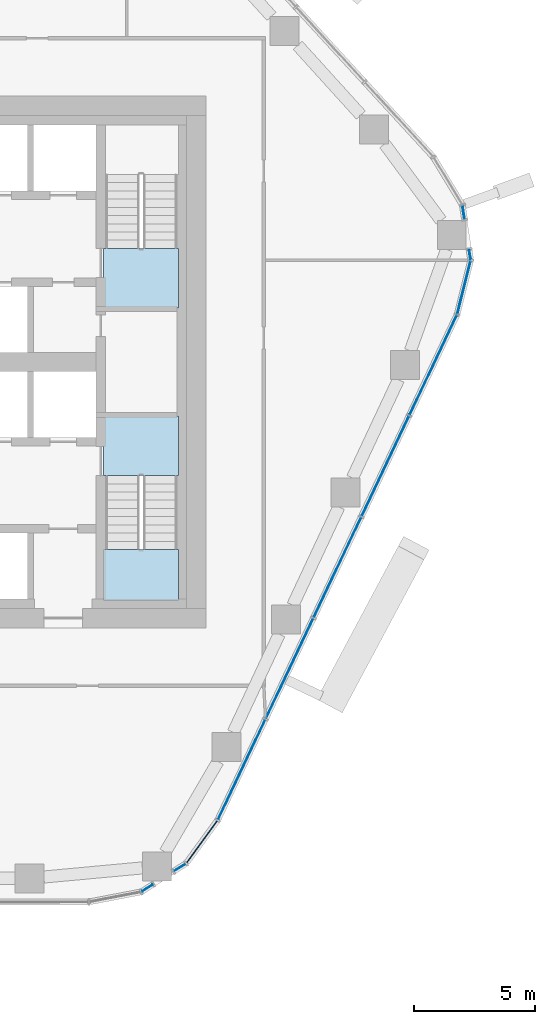
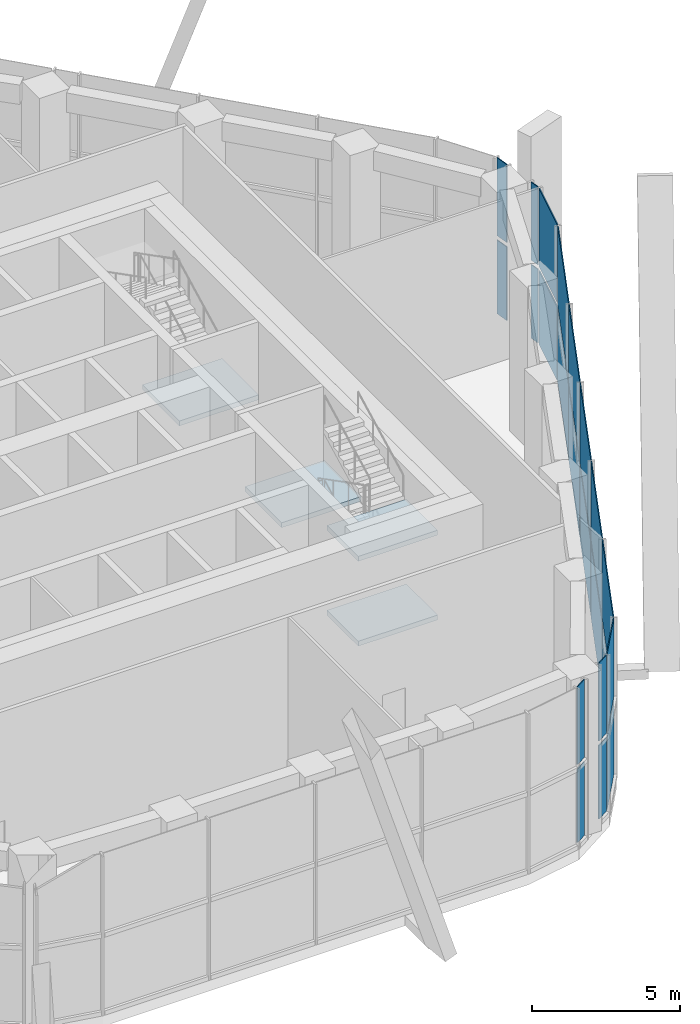
# One storey, part 9 of 20: 22 plates, 4 slabs, 7 elements without a shape of their own.
"""IFC4 building model written with IfcOpenShell, lengths in metres."""

from ifc_helpers import new_model, si_unit, direction, frame, origin, origin_2d, place, context, subcontext, project, spatial, polyline, rectangle, outline, extrude, material, layer, layer_set, type_object, element, aggregate, save


model = new_model("IFC4")

# Units and contexts
model_context = context("Model", 3, precision=1e-05, world=origin(), true_north=direction((0.0, 1.0)))
body_context = subcontext(model_context, "Body", "Model", "MODEL_VIEW")
ifc_project = project(units=[si_unit("LENGTHUNIT", "METRE"), si_unit("AREAUNIT", "SQUARE_METRE"), si_unit("VOLUMEUNIT", "CUBIC_METRE"), si_unit("PLANEANGLEUNIT", "RADIAN"), si_unit("MASSUNIT", "GRAM", prefix="KILO")], contexts=[model_context])

# Site, building, storey
site_placement = place(None, origin())
site = spatial("IfcSite", under=ifc_project, at=site_placement, CompositionType="ELEMENT")
building_placement = place(site_placement, origin())
building = spatial("IfcBuilding", under=site, at=building_placement, Name="Dongbaek Canopy Tower", CompositionType="ELEMENT")
storey_placement = place(building_placement, frame((0.0, 0.0, 151.60009765625)))
storey = spatial("IfcBuildingStorey", under=building, at=storey_placement, Name="L33", CompositionType="ELEMENT", Elevation=151.60009765625)

# Curtain wall, plates
ifc_material_1 = material(Name="Aluminium 6063-T6 pale anodised", Category="aluminium")
ifc_layer_1 = layer(ifc_material_1, 0.25)
ifc_layer_set_1 = layer_set([ifc_layer_1], Name="CW-4 sky-lobby curtain wall")
curtain_wall_type = type_object("IfcCurtainWallType", Name="CW-4 sky-lobby curtain wall", PredefinedType="NOTDEFINED", material=ifc_layer_set_1)
curtain_wall_1_placement = place(storey_placement, origin())
curtain_wall_1 = element("IfcCurtainWall", 1, at=curtain_wall_1_placement, inside=storey, type_object=curtain_wall_type, Name="CW-4 curtain wall K0.1a", PredefinedType="NOTDEFINED")
ifc_material_2 = material(Name="Clear laminated glass", Category="glass")
ifc_layer_2 = layer(ifc_material_2, 0.035888671875)
ifc_layer_set_2 = layer_set([ifc_layer_2], Name="CW-4 glazed panel 36")
plate_type = type_object("IfcPlateType", Name="CW-4 glazed panel 36", PredefinedType="CURTAIN_PANEL", material=ifc_layer_set_2)
plate_1_placement = place(storey_placement, frame((24.685302734375, 3.087646484375, 0.179931640625), z_axis=(0.0, 0.0, 1.0), x_axis=(0.242456523347, 0.970162272141, 0.0)))
plate_1 = element("IfcPlate", 2, at=plate_1_placement, type_object=plate_type, Name="CW-4 panel K0.1a.1.1", PredefinedType="CURTAIN_PANEL", context=body_context, shape_type="SweptSolid", body=[
    extrude(rectangle(XDim=2.229248046875, YDim=0.035888671875, at=origin_2d()), origin(), (0.0, 0.0, 1.0), 3.0400390625),
])
plate_2_placement = place(storey_placement, frame((24.685302734375, 3.087646484375, 3.39990234375), z_axis=(0.0, 0.0, 1.0), x_axis=(0.242456523347, 0.970162272141, 0.0)))
plate_2 = element("IfcPlate", 3, at=plate_2_placement, type_object=plate_type, Name="CW-4 panel K0.1a.1.2", PredefinedType="CURTAIN_PANEL", context=body_context, shape_type="SweptSolid", body=[
    extrude(rectangle(XDim=2.229248046875, YDim=0.035888671875, at=origin_2d()), origin(), (0.0, 0.0, 1.0), 3.219970703125),
])
plate_3_placement = place(storey_placement, frame((24.93212890625, 4.444580078125, 0.179931640625), z_axis=(0.0, 0.0, 1.0), x_axis=(-0.149297504968, 0.988792321476, 0.0)))
plate_3 = element("IfcPlate", 4, at=plate_3_placement, type_object=plate_type, Name="CW-4 panel K0.1a.2.1", PredefinedType="CURTAIN_PANEL", context=body_context, shape_type="SweptSolid", body=[
    extrude(rectangle(XDim=0.371337890625, YDim=0.035888671875, at=origin_2d()), origin(), (0.0, 0.0, 1.0), 3.0400390625),
])
plate_4_placement = place(storey_placement, frame((24.93212890625, 4.444580078125, 3.39990234375), z_axis=(0.0, 0.0, 1.0), x_axis=(-0.149297504968, 0.988792321476, 0.0)))
plate_4 = element("IfcPlate", 5, at=plate_4_placement, type_object=plate_type, Name="CW-4 panel K0.1a.2.2", PredefinedType="CURTAIN_PANEL", context=body_context, shape_type="SweptSolid", body=[
    extrude(rectangle(XDim=0.371337890625, YDim=0.035888671875, at=origin_2d()), origin(), (0.0, 0.0, 1.0), 3.219970703125),
])
aggregate(curtain_wall_1, [plate_1, plate_2, plate_3, plate_4])

curtain_wall_2_placement = place(storey_placement, origin())
curtain_wall_2 = element("IfcCurtainWall", 6, at=curtain_wall_2_placement, inside=storey, type_object=curtain_wall_type, Name="CW-4 curtain wall K0.1b", PredefinedType="NOTDEFINED")
plate_5_placement = place(storey_placement, frame((24.66845703125, 6.19091796875, 0.179931640625), z_axis=(0.0, 0.0, 1.0), x_axis=(-0.149297504968, 0.988792321476, 0.0)))
plate_5 = element("IfcPlate", 7, at=plate_5_placement, type_object=plate_type, Name="CW-4 panel K0.1b.1.1", PredefinedType="CURTAIN_PANEL", context=body_context, shape_type="SweptSolid", body=[
    extrude(rectangle(XDim=0.534912109375, YDim=0.035888671875, at=origin_2d()), origin(), (0.0, 0.0, 1.0), 3.0400390625),
])
plate_6_placement = place(storey_placement, frame((24.66845703125, 6.19091796875, 3.39990234375), z_axis=(0.0, 0.0, 1.0), x_axis=(-0.149297504968, 0.988792321476, 0.0)))
plate_6 = element("IfcPlate", 8, at=plate_6_placement, type_object=plate_type, Name="CW-4 panel K0.1b.1.2", PredefinedType="CURTAIN_PANEL", context=body_context, shape_type="SweptSolid", body=[
    extrude(rectangle(XDim=0.534912109375, YDim=0.035888671875, at=origin_2d()), origin(), (0.0, 0.0, 1.0), 3.219970703125),
])
aggregate(curtain_wall_2, [plate_5, plate_6])

curtain_wall_3_placement = place(storey_placement, origin())
curtain_wall_3 = element("IfcCurtainWall", 9, at=curtain_wall_3_placement, inside=storey, type_object=curtain_wall_type, Name="CW-4 curtain wall K5.1a", PredefinedType="NOTDEFINED")
plate_7_placement = place(storey_placement, frame((11.58154296875, -21.77490234375, 0.179931640625), z_axis=(0.0, 0.0, 1.0), x_axis=(0.844404872268, 0.53570552703, 0.0)))
plate_7 = element("IfcPlate", 10, at=plate_7_placement, type_object=plate_type, Name="CW-4 panel K5.1a.2.1", PredefinedType="CURTAIN_PANEL", context=body_context, shape_type="SweptSolid", body=[
    extrude(rectangle(XDim=0.499755859375, YDim=0.035888671875, at=origin_2d()), origin(), (0.0, 0.0, 1.0), 3.0400390625),
])
plate_8_placement = place(storey_placement, frame((11.58154296875, -21.77490234375, 3.39990234375), z_axis=(0.0, 0.0, 1.0), x_axis=(0.844404872268, 0.53570552703, 0.0)))
plate_8 = element("IfcPlate", 11, at=plate_8_placement, type_object=plate_type, Name="CW-4 panel K5.1a.2.2", PredefinedType="CURTAIN_PANEL", context=body_context, shape_type="SweptSolid", body=[
    extrude(rectangle(XDim=0.499755859375, YDim=0.035888671875, at=origin_2d()), origin(), (0.0, 0.0, 1.0), 3.219970703125),
])
aggregate(curtain_wall_3, [plate_7, plate_8])

curtain_wall_4_placement = place(storey_placement, origin())
curtain_wall_4 = element("IfcCurtainWall", 12, at=curtain_wall_4_placement, inside=storey, type_object=curtain_wall_type, Name="CW-4 curtain wall K5.1b", PredefinedType="NOTDEFINED")
plate_9_placement = place(storey_placement, frame((12.92236328125, -20.92431640625, 0.179931640625), z_axis=(0.0, 0.0, 1.0), x_axis=(0.844404872268, 0.53570552703, 0.0)))
plate_9 = element("IfcPlate", 13, at=plate_9_placement, type_object=plate_type, Name="CW-4 panel K5.1b.1.1", PredefinedType="CURTAIN_PANEL", context=body_context, shape_type="SweptSolid", body=[
    extrude(rectangle(XDim=0.539306640625, YDim=0.035888671875, at=origin_2d()), origin(), (0.0, 0.0, 1.0), 3.0400390625),
])
plate_10_placement = place(storey_placement, frame((12.92236328125, -20.92431640625, 3.39990234375), z_axis=(0.0, 0.0, 1.0), x_axis=(0.844404872268, 0.53570552703, 0.0)))
plate_10 = element("IfcPlate", 14, at=plate_10_placement, type_object=plate_type, Name="CW-4 panel K5.1b.1.2", PredefinedType="CURTAIN_PANEL", context=body_context, shape_type="SweptSolid", body=[
    extrude(rectangle(XDim=0.539306640625, YDim=0.035888671875, at=origin_2d()), origin(), (0.0, 0.0, 1.0), 3.219970703125),
])
plate_11_placement = place(storey_placement, frame((13.84130859375, -19.861328125, 0.179931640625), z_axis=(0.0, 0.0, 1.0), x_axis=(0.589145412334, 0.808027031185, 0.0)))
plate_11 = element("IfcPlate", 15, at=plate_11_placement, type_object=plate_type, Name="CW-4 panel K5.1b.2.1", PredefinedType="CURTAIN_PANEL", context=body_context, shape_type="SweptSolid", body=[
    extrude(rectangle(XDim=2.1171875, YDim=0.035888671875, at=origin_2d()), origin(), (0.0, 0.0, 1.0), 3.0400390625),
])
plate_12_placement = place(storey_placement, frame((13.84130859375, -19.861328125, 3.39990234375), z_axis=(0.0, 0.0, 1.0), x_axis=(0.589145412334, 0.808027031185, 0.0)))
plate_12 = element("IfcPlate", 16, at=plate_12_placement, type_object=plate_type, Name="CW-4 panel K5.1b.2.2", PredefinedType="CURTAIN_PANEL", context=body_context, shape_type="SweptSolid", body=[
    extrude(rectangle(XDim=2.1171875, YDim=0.035888671875, at=origin_2d()), origin(), (0.0, 0.0, 1.0), 3.219970703125),
])
aggregate(curtain_wall_4, [plate_9, plate_10, plate_11, plate_12])

curtain_wall_5_placement = place(storey_placement, origin())
curtain_wall_5 = element("IfcCurtainWall", 17, at=curtain_wall_5_placement, inside=storey, type_object=curtain_wall_type, Name="CW-4 curtain wall F5.1", PredefinedType="NOTDEFINED")
plate_13_placement = place(storey_placement, frame((15.482421875, -16.877685546875, 0.179931640625), z_axis=(0.0, 0.0, 1.0), x_axis=(0.42799629166, 0.903780490122, 0.0)))
plate_13 = element("IfcPlate", 18, at=plate_13_placement, type_object=plate_type, Name="CW-4 panel F5.1.1.1", PredefinedType="CURTAIN_PANEL", context=body_context, shape_type="SweptSolid", body=[
    extrude(rectangle(XDim=4.53173828125, YDim=0.035888671875, at=origin_2d()), origin(), (0.0, 0.0, 1.0), 3.0400390625),
])
plate_14_placement = place(storey_placement, frame((15.482421875, -16.877685546875, 3.39990234375), z_axis=(0.0, 0.0, 1.0), x_axis=(0.42799629166, 0.903780490122, 0.0)))
plate_14 = element("IfcPlate", 19, at=plate_14_placement, type_object=plate_type, Name="CW-4 panel F5.1.1.2", PredefinedType="CURTAIN_PANEL", context=body_context, shape_type="SweptSolid", body=[
    extrude(rectangle(XDim=4.53173828125, YDim=0.035888671875, at=origin_2d()), origin(), (0.0, 0.0, 1.0), 3.219970703125),
])
plate_15_placement = place(storey_placement, frame((17.46435546875, -12.692626953125, 0.179931640625), z_axis=(0.0, 0.0, 1.0), x_axis=(0.42799629166, 0.903780490122, 0.0)))
plate_15 = element("IfcPlate", 20, at=plate_15_placement, type_object=plate_type, Name="CW-4 panel F5.1.2.1", PredefinedType="CURTAIN_PANEL", context=body_context, shape_type="SweptSolid", body=[
    extrude(rectangle(XDim=4.541259765625, YDim=0.035888671875, at=origin_2d()), origin(), (0.0, 0.0, 1.0), 3.0400390625),
])
plate_16_placement = place(storey_placement, frame((17.46435546875, -12.692626953125, 3.39990234375), z_axis=(0.0, 0.0, 1.0), x_axis=(0.42799629166, 0.903780490122, 0.0)))
plate_16 = element("IfcPlate", 21, at=plate_16_placement, type_object=plate_type, Name="CW-4 panel F5.1.2.2", PredefinedType="CURTAIN_PANEL", context=body_context, shape_type="SweptSolid", body=[
    extrude(rectangle(XDim=4.541259765625, YDim=0.035888671875, at=origin_2d()), origin(), (0.0, 0.0, 1.0), 3.219970703125),
])
plate_17_placement = place(storey_placement, frame((19.4482421875, -8.50341796875, 0.179931640625), z_axis=(0.0, 0.0, 1.0), x_axis=(0.42799629166, 0.903780490122, 0.0)))
plate_17 = element("IfcPlate", 22, at=plate_17_placement, type_object=plate_type, Name="CW-4 panel F5.1.3.1", PredefinedType="CURTAIN_PANEL", context=body_context, shape_type="SweptSolid", body=[
    extrude(rectangle(XDim=4.541259765625, YDim=0.035888671875, at=origin_2d()), origin(), (0.0, 0.0, 1.0), 3.0400390625),
])
plate_18_placement = place(storey_placement, frame((19.4482421875, -8.50341796875, 3.39990234375), z_axis=(0.0, 0.0, 1.0), x_axis=(0.42799629166, 0.903780490122, 0.0)))
plate_18 = element("IfcPlate", 23, at=plate_18_placement, type_object=plate_type, Name="CW-4 panel F5.1.3.2", PredefinedType="CURTAIN_PANEL", context=body_context, shape_type="SweptSolid", body=[
    extrude(rectangle(XDim=4.541259765625, YDim=0.035888671875, at=origin_2d()), origin(), (0.0, 0.0, 1.0), 3.219970703125),
])
plate_19_placement = place(storey_placement, frame((21.431884765625, -4.314208984375, 0.179931640625), z_axis=(0.0, 0.0, 1.0), x_axis=(0.42799629166, 0.903780490122, 0.0)))
plate_19 = element("IfcPlate", 24, at=plate_19_placement, type_object=plate_type, Name="CW-4 panel F5.1.4.1", PredefinedType="CURTAIN_PANEL", context=body_context, shape_type="SweptSolid", body=[
    extrude(rectangle(XDim=4.541259765625, YDim=0.035888671875, at=origin_2d()), origin(), (0.0, 0.0, 1.0), 3.0400390625),
])
plate_20_placement = place(storey_placement, frame((21.431884765625, -4.314208984375, 3.39990234375), z_axis=(0.0, 0.0, 1.0), x_axis=(0.42799629166, 0.903780490122, 0.0)))
plate_20 = element("IfcPlate", 25, at=plate_20_placement, type_object=plate_type, Name="CW-4 panel F5.1.4.2", PredefinedType="CURTAIN_PANEL", context=body_context, shape_type="SweptSolid", body=[
    extrude(rectangle(XDim=4.541259765625, YDim=0.035888671875, at=origin_2d()), origin(), (0.0, 0.0, 1.0), 3.219970703125),
])
plate_21_placement = place(storey_placement, frame((23.413818359375, -0.12939453125, 0.179931640625), z_axis=(0.0, 0.0, 1.0), x_axis=(0.42799629166, 0.903780490122, 0.0)))
plate_21 = element("IfcPlate", 26, at=plate_21_placement, type_object=plate_type, Name="CW-4 panel F5.1.5.1", PredefinedType="CURTAIN_PANEL", context=body_context, shape_type="SweptSolid", body=[
    extrude(rectangle(XDim=4.53125, YDim=0.035888671875, at=origin_2d()), origin(), (0.0, 0.0, 1.0), 3.0400390625),
])
plate_22_placement = place(storey_placement, frame((23.413818359375, -0.12939453125, 3.39990234375), z_axis=(0.0, 0.0, 1.0), x_axis=(0.42799629166, 0.903780490122, 0.0)))
plate_22 = element("IfcPlate", 27, at=plate_22_placement, type_object=plate_type, Name="CW-4 panel F5.1.5.2", PredefinedType="CURTAIN_PANEL", context=body_context, shape_type="SweptSolid", body=[
    extrude(rectangle(XDim=4.53125, YDim=0.035888671875, at=origin_2d()), origin(), (0.0, 0.0, 1.0), 3.219970703125),
])
aggregate(curtain_wall_5, [plate_13, plate_14, plate_15, plate_16, plate_17, plate_18, plate_19, plate_20, plate_21, plate_22])

# Stair, slab
ifc_material_3 = material(Name="Concrete C40/50", Category="concrete")
stair_type = type_object("IfcStairType", Name="Core exit stair", PredefinedType="HALF_TURN_STAIR", material=ifc_material_3)
stair_1_placement = place(storey_placement, origin())
stair_1 = element("IfcStair", 28, at=stair_1_placement, inside=storey, type_object=stair_type, Name="L33 exit stair A", PredefinedType="HALF_TURN_STAIR")
ifc_material_4 = material(Name="Concrete C40/50", Category="concrete")
ifc_layer_3 = layer(ifc_material_4, 0.199951171875)
ifc_layer_set_3 = layer_set([ifc_layer_3], Name="Core stair landing 200")
slab_type = type_object("IfcSlabType", Name="Core stair landing 200", PredefinedType="LANDING", material=ifc_layer_set_3)
slab_1_placement = place(storey_placement, frame((0.0, 0.0, 3.2998046875)))
slab_1 = element("IfcSlab", 29, at=slab_1_placement, type_object=slab_type, Name="ST-A landing 2", PredefinedType="LANDING", context=body_context, shape_type="SweptSolid", body=[
    extrude(outline(polyline([(12.875, 2.22509765625), (12.875, 4.699951171875), (9.77490234375, 4.699951171875), (9.77490234375, 2.22509765625), (12.875, 2.22509765625)])), origin(), (0.0, 0.0, 1.0), 0.2001953125),
])
aggregate(stair_1, [slab_1])

# Stair, slabs
stair_2_placement = place(storey_placement, origin())
stair_2 = element("IfcStair", 30, at=stair_2_placement, inside=storey, type_object=stair_type, Name="L33 exit stair B", PredefinedType="HALF_TURN_STAIR")
slab_2_placement = place(storey_placement, frame((0.0, 0.0, 1.5498046875)))
slab_2 = element("IfcSlab", 31, at=slab_2_placement, type_object=slab_type, Name="ST-B landing 1", PredefinedType="LANDING", context=body_context, shape_type="SweptSolid", body=[
    extrude(outline(polyline([(9.77490234375, -7.760009765625), (9.77490234375, -9.875), (12.875, -9.875), (12.875, -7.760009765625), (9.77490234375, -7.760009765625)])), origin(), (0.0, 0.0, 1.0), 0.2001953125),
])
slab_3_placement = place(storey_placement, frame((0.0, 0.0, 3.2998046875)))
slab_3 = element("IfcSlab", 32, at=slab_3_placement, type_object=slab_type, Name="ST-B landing 2", PredefinedType="LANDING", context=body_context, shape_type="SweptSolid", body=[
    extrude(outline(polyline([(9.77490234375, -2.22509765625), (9.77490234375, -4.699951171875), (12.875, -4.699951171875), (12.875, -2.22509765625), (9.77490234375, -2.22509765625)])), origin(), (0.0, 0.0, 1.0), 0.2001953125),
])
slab_4_placement = place(storey_placement, frame((0.0, 0.0, 5.0498046875)))
slab_4 = element("IfcSlab", 33, at=slab_4_placement, type_object=slab_type, Name="ST-B landing 3", PredefinedType="LANDING", context=body_context, shape_type="SweptSolid", body=[
    extrude(outline(polyline([(9.77490234375, -7.760009765625), (9.77490234375, -9.875), (12.875, -9.875), (12.875, -7.760009765625), (9.77490234375, -7.760009765625)])), origin(), (0.0, 0.0, 1.0), 0.2001953125),
])
aggregate(stair_2, [slab_2, slab_3, slab_4])

save(model, "model.ifc")
